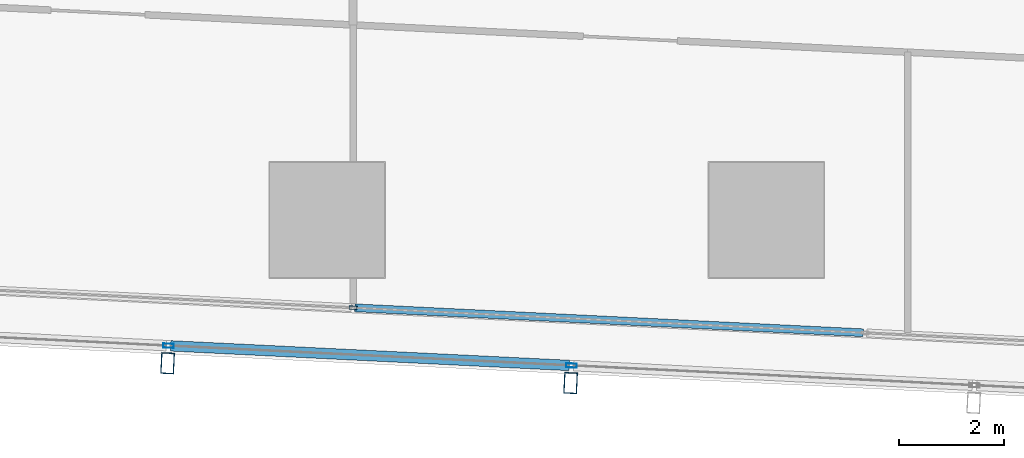
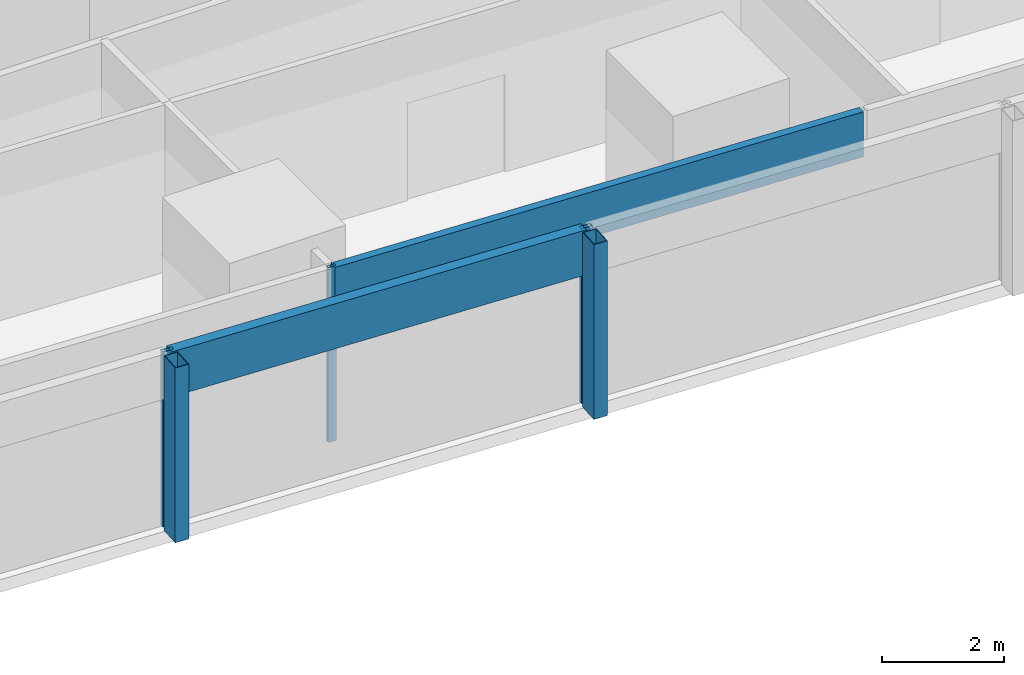
# One storey, part 5 of 44: 7 members, 2 elements without a shape of their own.
"""IFC4 building model written with IfcOpenShell, lengths in metres."""

import ifcopenshell
import ifcopenshell.guid

model = None  # the IFC model being written
_history = None  # IfcOwnerHistory: only IFC2X3 demands one
_inside = {}  # id of a spatial element -> (the spatial element, [elements in it])
_under = {}  # id of a project, library or spatial element -> (it, [spatial elements below it])
_declared = {}  # id of a project -> (the project, [libraries it declares])
_typed = {}  # id of a type object -> (the type object, [elements of that type])
_made_of = {}  # id of a material, layer set ... -> (it, [elements and type objects made of it])


def new_model(schema):
    """Start an empty IFC model of exactly this schema.

    Asked for "IFC4X3", IfcOpenShell would pick the latest addendum, in which some entities
    have other attributes; the version numbers below select the first issue.
    IFC2X3 requires an IfcOwnerHistory on every rooted entity: one is made here for all.
    """
    global model, _history
    if schema == "IFC4X3":
        model = ifcopenshell.file(schema_version=(4, 3, 0, 0))
    else:
        model = ifcopenshell.file(schema=schema)
    _inside.clear()
    _under.clear()
    _declared.clear()
    _typed.clear()
    _made_of.clear()
    _history = None
    if model.schema == "IFC2X3":
        org = make("IfcOrganization", Name="unknown")
        user = make(
            "IfcPersonAndOrganization",
            ThePerson=make("IfcPerson", FamilyName="unknown"),
            TheOrganization=org,
        )
        app = make(
            "IfcApplication",
            ApplicationDeveloper=org,
            Version="unknown",
            ApplicationFullName="unknown",
            ApplicationIdentifier="unknown",
        )
        _history = make(
            "IfcOwnerHistory",
            OwningUser=user,
            OwningApplication=app,
            ChangeAction="ADDED",
            CreationDate=0,
        )
    return model


def make(cls, **values):
    """One entity of the class cls with the attributes given. An attribute that is None is left unset."""
    return model.create_entity(
        cls, **{name: value for name, value in values.items() if value is not None}
    )


def rooted(cls, **values):
    """An entity with a GlobalId (a new one), such as an element, a storey or a relation."""
    return make(cls, GlobalId=ifcopenshell.guid.new(), OwnerHistory=_history, **values)


def si_unit(unit_type, name, prefix=None):
    """IfcSIUnit, for example si_unit("LENGTHUNIT", "METRE", prefix="MILLI")."""
    return make("IfcSIUnit", UnitType=unit_type, Prefix=prefix, Name=name)


def assignment(units):
    """IfcUnitAssignment: the units of a project."""
    return None if units is None else make("IfcUnitAssignment", Units=units)


def point(xyz):
    """IfcCartesianPoint."""
    return None if xyz is None else make("IfcCartesianPoint", Coordinates=xyz)


def direction(xyz):
    """IfcDirection."""
    return None if xyz is None else make("IfcDirection", DirectionRatios=xyz)


def frame(location, z_axis=None, x_axis=None):
    """IfcAxis2Placement3D, a coordinate frame: its origin and axes. An axis left out is left unset."""
    return make(
        "IfcAxis2Placement3D",
        Location=point(location),
        Axis=direction(z_axis),
        RefDirection=direction(x_axis),
    )


def frame_2d(location, x_axis=None):
    """IfcAxis2Placement2D, a coordinate frame in the plane: its origin and x axis."""
    return make(
        "IfcAxis2Placement2D", Location=point(location), RefDirection=direction(x_axis)
    )


def origin():
    """The frame at (0, 0, 0) with its axes left unset."""
    return frame((0.0, 0.0, 0.0))


def origin_2d():
    """The frame at (0, 0) in the plane with its x axis left unset."""
    return frame_2d((0.0, 0.0))


def place(relative_to, where):
    """IfcLocalPlacement: puts the frame where relative to a parent placement (None: the world)."""
    return make(
        "IfcLocalPlacement", PlacementRelTo=relative_to, RelativePlacement=where
    )


def context(
    kind, dimensions, precision=None, world=None, true_north=None, identifier=None
):
    """IfcGeometricRepresentationContext, for example the 3D "Model" context."""
    return make(
        "IfcGeometricRepresentationContext",
        ContextIdentifier=identifier,
        ContextType=kind,
        CoordinateSpaceDimension=dimensions,
        Precision=precision,
        WorldCoordinateSystem=world,
        TrueNorth=true_north,
    )


def subcontext(parent, identifier, kind, view, scale=None):
    """IfcGeometricRepresentationSubContext, for example "Body" below "Model"."""
    return make(
        "IfcGeometricRepresentationSubContext",
        ContextIdentifier=identifier,
        ContextType=kind,
        ParentContext=parent,
        TargetScale=scale,
        TargetView=view,
    )


def project(units=None, contexts=None):
    """IfcProject with its units and contexts."""
    return rooted(
        "IfcProject",
        Name="project",
        RepresentationContexts=contexts,
        UnitsInContext=assignment(units),
    )


def spatial(cls, under=None, at=None, **own):
    """A site, building, storey or space (cls), placed at a placement, below another one or the project."""
    s = rooted(cls, ObjectPlacement=at, **own)
    if under is not None:
        _under.setdefault(under.id(), (under, []))[1].append(s)
    return s


def profile(cls, at=None, kind="AREA", **sizes):
    """A parametric profile (cls). Its sizes go by their IFC names, for example OverallWidth=200.0."""
    return make(cls, ProfileType=kind, Position=at, **sizes)


def hollow_rectangle(**sizes):
    """IfcRectangleHollowProfileDef."""
    return profile("IfcRectangleHollowProfileDef", **sizes)


def extrude(swept, where, along, depth):
    """IfcExtrudedAreaSolid: the profile swept, set in the frame where, extruded along a direction by depth."""
    return make(
        "IfcExtrudedAreaSolid",
        SweptArea=swept,
        Position=where,
        ExtrudedDirection=direction(along),
        Depth=depth,
    )


def shape(context_of_items, identifier, shape_type, items):
    """IfcShapeRepresentation: the items that make up one representation, for example the "Body"."""
    return make(
        "IfcShapeRepresentation",
        ContextOfItems=context_of_items,
        RepresentationIdentifier=identifier,
        RepresentationType=shape_type,
        Items=items,
    )


def material(Name=None, Category=None):
    """IfcMaterial."""
    return make("IfcMaterial", Name=Name, Category=Category)


def material_profile(
    of_material, cross_section, Name=None, Category=None, Priority=None
):
    """IfcMaterialProfile: a cross section and its material."""
    return make(
        "IfcMaterialProfile",
        Name=Name,
        Material=of_material,
        Profile=cross_section,
        Priority=Priority,
        Category=Category,
    )


def profile_set(profiles, Name=None, composite=None):
    """IfcMaterialProfileSet."""
    return make(
        "IfcMaterialProfileSet",
        Name=Name,
        MaterialProfiles=profiles,
        CompositeProfile=composite,
    )


def made_of(thing, what):
    """Note that an element or type object is made of a material, layer set ...; save() writes the relation."""
    if what is not None:
        _made_of.setdefault(what.id(), (what, []))[1].append(thing)
    return thing


def type_object(cls, material=None, **own):
    """A type object (cls), such as IfcWallType, which elements share."""
    return made_of(rooted(cls, **own), material)


def element(
    cls,
    number,
    at=None,
    inside=None,
    cuts=None,
    type_object=None,
    material=None,
    context=None,
    identifier="Body",
    shape_type=None,
    held_by="IfcProductDefinitionShape",
    body=None,
    shapes=None,
    **own,
):
    """One element of the class cls, such as IfcWall. Its Tag is "e" and its number.

    at: its placement. inside: the storey or other place that contains it. cuts: it is an
    opening in that element (IfcRelVoidsElement). A single representation is given by context,
    identifier, shape_type and body (its items); several are given by shapes. held_by: the class
    of the entity that holds the representations. save() writes the other relations.
    """
    e = rooted(cls, Tag="e%d" % number, ObjectPlacement=at, **own)
    if body is not None:
        shapes = [shape(context, identifier, shape_type, body)]
    if shapes is not None:
        e.Representation = make(held_by, Representations=shapes)
    if inside is not None:
        _inside.setdefault(inside.id(), (inside, []))[1].append(e)
    if cuts is not None:
        rooted(
            "IfcRelVoidsElement", RelatingBuildingElement=cuts, RelatedOpeningElement=e
        )
    if type_object is not None:
        _typed.setdefault(type_object.id(), (type_object, []))[1].append(e)
    return made_of(e, material)


def aggregate(whole, parts):
    """IfcRelAggregates: a whole, such as a stair, and the parts it consists of."""
    return rooted("IfcRelAggregates", RelatingObject=whole, RelatedObjects=parts)


def save(model, path):
    """Write the relations noted so far, then the file.

    IfcRelAggregates (storeys below a building ...), IfcRelContainedInSpatialStructure (elements
    in a storey), IfcRelDefinesByType, IfcRelAssociatesMaterial and IfcRelDeclares: one each for
    every whole, place, type object, material and project.
    """
    for whole, parts in _under.values():
        aggregate(whole, parts)
    for where, things in _inside.values():
        rooted(
            "IfcRelContainedInSpatialStructure",
            RelatedElements=things,
            RelatingStructure=where,
        )
    for kind, things in _typed.values():
        rooted("IfcRelDefinesByType", RelatedObjects=things, RelatingType=kind)
    for what, things in _made_of.values():
        rooted("IfcRelAssociatesMaterial", RelatedObjects=things, RelatingMaterial=what)
    for by, libraries in _declared.values():
        rooted("IfcRelDeclares", RelatingContext=by, RelatedDefinitions=libraries)
    model.write(path)


model = new_model("IFC4")

# Units and contexts
model_context = context("Model", 3, precision=1e-05, world=origin(), true_north=direction((0.0, 1.0)))
body_context = subcontext(model_context, "Body", "Model", "MODEL_VIEW")
ifc_project = project(units=[si_unit("LENGTHUNIT", "METRE"), si_unit("AREAUNIT", "SQUARE_METRE"), si_unit("VOLUMEUNIT", "CUBIC_METRE"), si_unit("PLANEANGLEUNIT", "RADIAN"), si_unit("MASSUNIT", "GRAM", prefix="KILO")], contexts=[model_context])

# Site, building, storey
site_placement = place(None, origin())
site = spatial("IfcSite", under=ifc_project, at=site_placement, CompositionType="ELEMENT")
building_placement = place(site_placement, origin())
building = spatial("IfcBuilding", under=site, at=building_placement, Name="Rekha Terrace Tower", CompositionType="ELEMENT")
storey_placement = place(building_placement, frame((0.0, 0.0, 66.64990234375)))
storey = spatial("IfcBuildingStorey", under=building, at=storey_placement, Name="L16", CompositionType="ELEMENT", Elevation=66.64990234375)

# Curtain wall, members
ifc_material_1 = material(Name="Aluminium framing", Category="aluminium")
curtain_wall_type_1 = type_object("IfcCurtainWallType", Name="CW2 double skin outer glazing", PredefinedType="USERDEFINED", material=ifc_material_1)
curtain_wall_1_placement = place(storey_placement, origin())
curtain_wall_1 = element("IfcCurtainWall", 1, at=curtain_wall_1_placement, inside=storey, type_object=curtain_wall_type_1, Name="CW2 double skin outer glazing", ObjectType="DOUBLE SKIN OUTER GLAZING", PredefinedType="USERDEFINED")
ifc_material_2 = material(Name="Steel S355 with fluorocarbon finish", Category="steel")
ifc_material_profile_1 = material_profile(ifc_material_2, hollow_rectangle(XDim=0.25, YDim=0.39990234375, WallThickness=0.012451171875, at=origin_2d()), Name="RHS400x250x12.5")
ifc_profile_set_1 = profile_set([ifc_material_profile_1], Name="Steel S355 with fluorocarbon finish")
member_type_1 = type_object("IfcMemberType", Name="BL1 facade blade RHS 400 x 250", PredefinedType="USERDEFINED", material=ifc_profile_set_1)
member_1_placement = place(storey_placement, frame((22.14990234375, 5.6611328125, 0.0), z_axis=(0.0, 0.0, 1.0), x_axis=(0.998796226835, -0.049051985279, 0.0)))
member_1 = element("IfcMember", 2, at=member_1_placement, type_object=member_type_1, Name="Facade blade", ObjectType="FACADE BLADE", PredefinedType="USERDEFINED", context=body_context, shape_type="SweptSolid", body=[
    extrude(hollow_rectangle(XDim=0.25, YDim=0.39990234375, WallThickness=0.012451171875, at=origin_2d()), origin(), (0.0, 0.0, 1.0), 3.5),
])
member_2_placement = place(storey_placement, frame((29.856201171875, 5.28271484375, 0.0), z_axis=(0.0, 0.0, 1.0), x_axis=(0.998796226835, -0.049051985279, 0.0)))
member_2 = element("IfcMember", 3, at=member_2_placement, type_object=member_type_1, Name="Facade blade", ObjectType="FACADE BLADE", PredefinedType="USERDEFINED", context=body_context, shape_type="SweptSolid", body=[
    extrude(hollow_rectangle(XDim=0.25, YDim=0.39990234375, WallThickness=0.012451171875, at=origin_2d()), origin(), (0.0, 0.0, 1.0), 3.5),
])

curtain_wall_type_2 = type_object("IfcCurtainWallType", Name="CW1 double skin inner glazing", PredefinedType="USERDEFINED", material=ifc_material_1)
curtain_wall_2_placement = place(storey_placement, origin())
curtain_wall_2 = element("IfcCurtainWall", 4, at=curtain_wall_2_placement, inside=storey, type_object=curtain_wall_type_2, Name="CW1 double skin inner glazing", ObjectType="DOUBLE SKIN INNER GLAZING", PredefinedType="USERDEFINED")
ifc_material_3 = material(Name="Aluminium mullion section", Category="aluminium")
ifc_material_profile_2 = material_profile(ifc_material_3, hollow_rectangle(XDim=0.06494140625, YDim=0.14990234375, WallThickness=0.00390625, at=origin_2d()), Name="AL RHS 65x150")
ifc_profile_set_2 = profile_set([ifc_material_profile_2], Name="Aluminium mullion section")
member_type_2 = type_object("IfcMemberType", Name="CW1 mullion RHS 65 x 150", PredefinedType="MULLION", material=ifc_profile_set_2)
member_3_placement = place(storey_placement, frame((25.696044921875, 6.723388671875, 0.0), z_axis=(0.0, 0.0, 1.0), x_axis=(0.049051717746, 0.998796239974, 0.0)))
member_3 = element("IfcMember", 5, at=member_3_placement, type_object=member_type_2, Name="CW1 mullion 2", PredefinedType="MULLION", context=body_context, shape_type="SweptSolid", body=[
    extrude(hollow_rectangle(XDim=0.06494140625, YDim=0.14990234375, WallThickness=0.00390625, at=origin_2d()), origin(), (0.0, 0.0, 1.0), 3.5),
])
ifc_material_4 = material(Name="Insulated aluminium spandrel box", Category="aluminium")
ifc_material_profile_3 = material_profile(ifc_material_4, hollow_rectangle(XDim=0.14990234375, YDim=0.89990234375, WallThickness=0.0029296875, at=origin_2d()), Name="AL SPANDREL BOX 150x900")
ifc_profile_set_3 = profile_set([ifc_material_profile_3], Name="Insulated aluminium spandrel box")
member_type_3 = type_object("IfcMemberType", Name="CW1 spandrel transom 150 x 900", PredefinedType="USERDEFINED", material=ifc_profile_set_3)
member_4_placement = place(storey_placement, frame((25.728515625, 6.721923828125, 3.050048828125), z_axis=(0.998796042167, -0.049055745348, 0.0), x_axis=(0.049055745348, 0.998796042167, 0.0)))
member_4 = element("IfcMember", 6, at=member_4_placement, type_object=member_type_3, Name="CW1 spandrel transom 2", ObjectType="TRANSOM", PredefinedType="USERDEFINED", context=body_context, shape_type="SweptSolid", body=[
    extrude(hollow_rectangle(XDim=0.14990234375, YDim=0.89990234375, WallThickness=0.0029296875, at=origin_2d()), origin(), (0.0, 0.0, 1.0), 9.734619140625),
])
aggregate(curtain_wall_2, [member_3, member_4])

# Member
ifc_material_profile_4 = material_profile(ifc_material_3, hollow_rectangle(XDim=0.080078125, YDim=0.199951171875, WallThickness=0.00390625, at=origin_2d()), Name="AL RHS 80x200")
ifc_profile_set_4 = profile_set([ifc_material_profile_4], Name="Aluminium mullion section")
member_type_4 = type_object("IfcMemberType", Name="CW2 mullion RHS 80 x 200", PredefinedType="MULLION", material=ifc_profile_set_4)
member_5_placement = place(storey_placement, frame((22.166259765625, 5.99560546875, 0.0), z_axis=(0.0, 0.0, 1.0), x_axis=(0.049051717746, 0.998796239974, 0.0)))
member_5 = element("IfcMember", 7, at=member_5_placement, type_object=member_type_4, Name="CW2 mullion 3", PredefinedType="MULLION", context=body_context, shape_type="SweptSolid", body=[
    extrude(hollow_rectangle(XDim=0.080078125, YDim=0.199951171875, WallThickness=0.00390625, at=origin_2d()), origin(), (0.0, 0.0, 1.0), 3.5),
])

member_6_placement = place(storey_placement, frame((29.872802734375, 5.6171875, 0.0), z_axis=(0.0, 0.0, 1.0), x_axis=(0.049051717746, 0.998796239974, 0.0)))
member_6 = element("IfcMember", 8, at=member_6_placement, type_object=member_type_4, Name="CW2 mullion 4", PredefinedType="MULLION", context=body_context, shape_type="SweptSolid", body=[
    extrude(hollow_rectangle(XDim=0.080078125, YDim=0.199951171875, WallThickness=0.00390625, at=origin_2d()), origin(), (0.0, 0.0, 1.0), 3.5),
])

ifc_material_profile_5 = material_profile(ifc_material_4, hollow_rectangle(XDim=0.199951171875, YDim=0.89990234375, WallThickness=0.0029296875, at=origin_2d()), Name="AL SPANDREL BOX 200x900")
ifc_profile_set_5 = profile_set([ifc_material_profile_5], Name="Insulated aluminium spandrel box")
member_type_5 = type_object("IfcMemberType", Name="CW2 spandrel transom 200 x 900", PredefinedType="USERDEFINED", material=ifc_profile_set_5)
member_7_placement = place(storey_placement, frame((22.206298828125, 5.99365234375, 3.050048828125), z_axis=(0.998796434643, -0.049047753721, 0.0), x_axis=(0.049047753721, 0.998796434643, 0.0)))
member_7 = element("IfcMember", 9, at=member_7_placement, type_object=member_type_5, Name="CW2 spandrel transom 3", ObjectType="TRANSOM", PredefinedType="USERDEFINED", context=body_context, shape_type="SweptSolid", body=[
    extrude(hollow_rectangle(XDim=0.199951171875, YDim=0.89990234375, WallThickness=0.0029296875, at=origin_2d()), origin(), (0.0, 0.0, 1.0), 7.6357421875),
])

aggregate(curtain_wall_1, [member_5, member_6, member_7, member_1, member_2])

save(model, "model.ifc")
